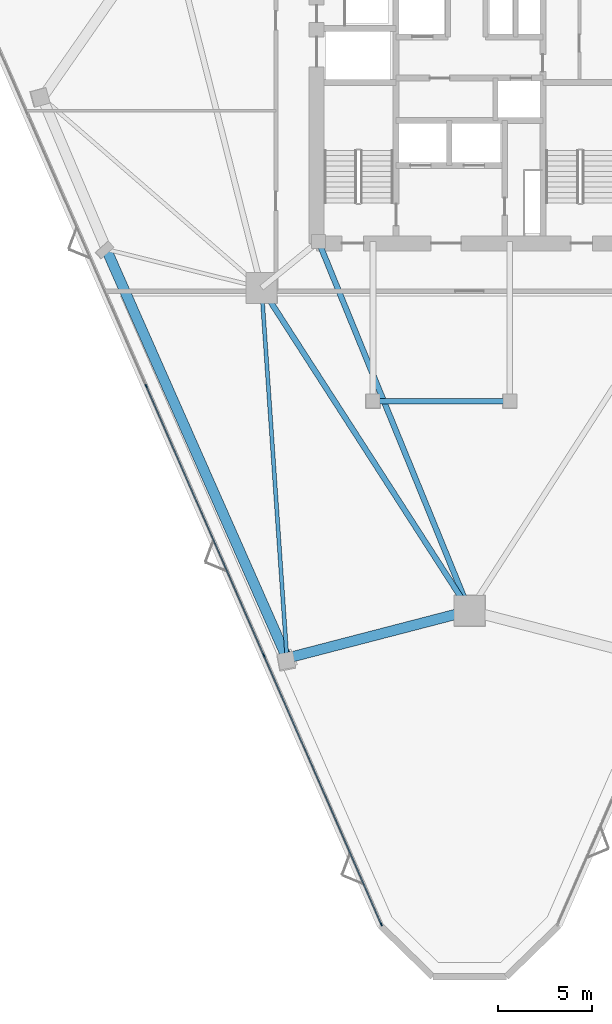
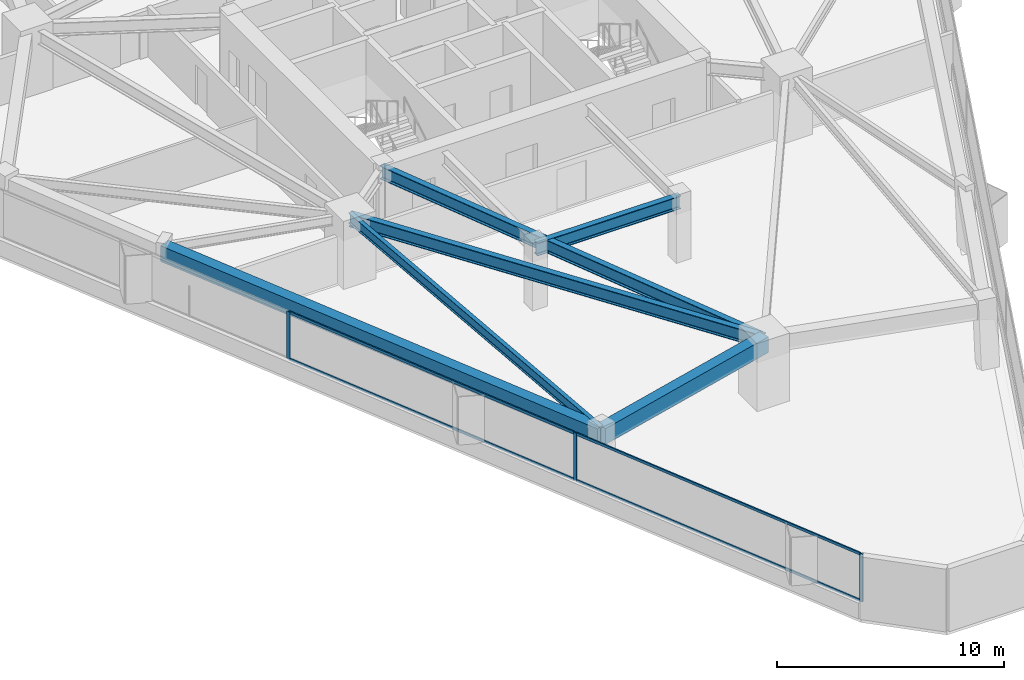
# One storey, part 2 of 15: 7 members, 6 beams, 1 element without a shape of its own.
"""IFC4 building model written with IfcOpenShell, lengths in metres."""

from ifc_helpers import new_model, si_unit, direction, frame, origin, origin_2d, place, context, subcontext, project, spatial, rectangle, i_section, extrude, material, layer, layer_set, material_profile, profile_set, type_object, element, aggregate, save


model = new_model("IFC4")

# Units and contexts
model_context = context("Model", 3, precision=1e-05, world=origin(), true_north=direction((0.0, 1.0)))
body_context = subcontext(model_context, "Body", "Model", "MODEL_VIEW")
ifc_project = project(units=[si_unit("LENGTHUNIT", "METRE"), si_unit("AREAUNIT", "SQUARE_METRE"), si_unit("VOLUMEUNIT", "CUBIC_METRE"), si_unit("PLANEANGLEUNIT", "RADIAN"), si_unit("MASSUNIT", "GRAM", prefix="KILO")], contexts=[model_context])

# Site, building, storey
site_placement = place(None, origin())
site = spatial("IfcSite", under=ifc_project, at=site_placement, CompositionType="ELEMENT")
building_placement = place(site_placement, origin())
building = spatial("IfcBuilding", under=site, at=building_placement, Name="Talyreon Biosciences Tower", CompositionType="ELEMENT")
storey_placement = place(building_placement, frame((0.0, 0.0, 111.5)))
storey = spatial("IfcBuildingStorey", under=building, at=storey_placement, Name="L29", CompositionType="ELEMENT", Elevation=111.5)

# Curtain wall, members
ifc_material_1 = material(Name="Thermally broken aluminium and low-E glazing", Category="aluminium")
ifc_layer = layer(ifc_material_1, 0.18994140625)
ifc_layer_set = layer_set([ifc_layer], Name="Thermally broken aluminium and low-E glazing")
curtain_wall_type = type_object("IfcCurtainWallType", Name="CurtainWall_Zone2Genomics", PredefinedType="NOTDEFINED", material=ifc_layer_set)
curtain_wall_placement = place(storey_placement, origin())
curtain_wall = element("IfcCurtainWall", 1, at=curtain_wall_placement, inside=storey, type_object=curtain_wall_type, Name="L29 Unitised Curtain Wall FCW-L29-00", PredefinedType="NOTDEFINED")
ifc_material_2 = material(Name="Anodised thermally broken aluminium", Category="aluminium")
ifc_material_profile_1 = material_profile(ifc_material_2, rectangle(XDim=0.06494140625, YDim=0.179931640625, at=origin_2d()), Name="ALUM MULLION 65x180")
ifc_profile_set_1 = profile_set([ifc_material_profile_1], Name="Anodised thermally broken aluminium")
member_type_1 = type_object("IfcMemberType", Name="CWMullion_65x180", PredefinedType="MULLION", material=ifc_profile_set_1)
member_1_placement = place(storey_placement, frame((61.294921875, 24.954345703125, 0.81005859375), z_axis=(0.0, 0.0, 1.0), x_axis=(-0.916416470178, -0.400226002637, 0.0)))
member_1 = element("IfcMember", 2, at=member_1_placement, type_object=member_type_1, Name="CW3 mullion 1", PredefinedType="MULLION", context=body_context, shape_type="SweptSolid", body=[
    extrude(rectangle(XDim=0.06494140625, YDim=0.179931640625, at=origin_2d()), origin(), (0.0, 0.0, 1.0), 2.56494140625),
])
member_2_placement = place(storey_placement, frame((55.035888671875, 39.2861328125, 0.81005859375), z_axis=(0.0, 0.0, 1.0), x_axis=(-0.916416470178, -0.400226002637, 0.0)))
member_2 = element("IfcMember", 3, at=member_2_placement, type_object=member_type_1, Name="CW3 mullion 2", PredefinedType="MULLION", context=body_context, shape_type="SweptSolid", body=[
    extrude(rectangle(XDim=0.06494140625, YDim=0.179931640625, at=origin_2d()), origin(), (0.0, 0.0, 1.0), 2.56494140625),
])
member_3_placement = place(storey_placement, frame((48.763671875, 53.6474609375, 0.81005859375), z_axis=(0.0, 0.0, 1.0), x_axis=(-0.916416470178, -0.400226002637, 0.0)))
member_3 = element("IfcMember", 4, at=member_3_placement, type_object=member_type_1, Name="CW3 mullion 3", PredefinedType="MULLION", context=body_context, shape_type="SweptSolid", body=[
    extrude(rectangle(XDim=0.06494140625, YDim=0.179931640625, at=origin_2d()), origin(), (0.0, 0.0, 1.0), 2.56494140625),
])
ifc_material_profile_2 = material_profile(ifc_material_2, rectangle(XDim=0.06494140625, YDim=0.139892578125, at=origin_2d()), Name="ALUM TRANSOM 65x140")
ifc_profile_set_2 = profile_set([ifc_material_profile_2], Name="Anodised thermally broken aluminium")
member_type_2 = type_object("IfcMemberType", Name="CWTransom_65x140", PredefinedType="USERDEFINED", material=ifc_profile_set_2)
member_4_placement = place(storey_placement, frame((61.281982421875, 24.984130859375, 0.842529296875), z_axis=(-0.400229120213, 0.916415108634, 0.0), x_axis=(-0.916415108634, -0.400229120213, 0.0)))
member_4 = element("IfcMember", 5, at=member_4_placement, type_object=member_type_2, Name="CW3 transom 1.1", ObjectType="TRANSOM", PredefinedType="USERDEFINED", context=body_context, shape_type="SweptSolid", body=[
    extrude(rectangle(XDim=0.06494140625, YDim=0.139892578125, at=origin_2d()), origin(), (0.0, 0.0, 1.0), 15.573974609375),
])
member_5_placement = place(storey_placement, frame((61.281982421875, 24.984130859375, 3.342529296875), z_axis=(-0.400229120213, 0.916415108634, 0.0), x_axis=(-0.916415108634, -0.400229120213, 0.0)))
member_5 = element("IfcMember", 6, at=member_5_placement, type_object=member_type_2, Name="CW3 transom 1.2", ObjectType="TRANSOM", PredefinedType="USERDEFINED", context=body_context, shape_type="SweptSolid", body=[
    extrude(rectangle(XDim=0.06494140625, YDim=0.139892578125, at=origin_2d()), origin(), (0.0, 0.0, 1.0), 15.573974609375),
])
member_6_placement = place(storey_placement, frame((55.022705078125, 39.31591796875, 0.842529296875), z_axis=(-0.40023115993, 0.916414217819, 0.0), x_axis=(-0.916414217819, -0.40023115993, 0.0)))
member_6 = element("IfcMember", 7, at=member_6_placement, type_object=member_type_2, Name="CW3 transom 2.1", ObjectType="TRANSOM", PredefinedType="USERDEFINED", context=body_context, shape_type="SweptSolid", body=[
    extrude(rectangle(XDim=0.06494140625, YDim=0.139892578125, at=origin_2d()), origin(), (0.0, 0.0, 1.0), 15.606201171875),
])
member_7_placement = place(storey_placement, frame((55.022705078125, 39.31591796875, 3.342529296875), z_axis=(-0.40023115993, 0.916414217819, 0.0), x_axis=(-0.916414217819, -0.40023115993, 0.0)))
member_7 = element("IfcMember", 8, at=member_7_placement, type_object=member_type_2, Name="CW3 transom 2.2", ObjectType="TRANSOM", PredefinedType="USERDEFINED", context=body_context, shape_type="SweptSolid", body=[
    extrude(rectangle(XDim=0.06494140625, YDim=0.139892578125, at=origin_2d()), origin(), (0.0, 0.0, 1.0), 15.606201171875),
])
aggregate(curtain_wall, [member_1, member_2, member_3, member_4, member_5, member_6, member_7])

# Beams
ifc_material_3 = material(Name="Precast concrete C45/55", Category="concrete")
ifc_material_profile_3 = material_profile(ifc_material_3, rectangle(XDim=0.550048828125, YDim=0.85009765625, at=origin_2d()), Name="RCB 550x850")
ifc_profile_set_3 = profile_set([ifc_material_profile_3], Name="Precast concrete C45/55")
beam_type_1 = type_object("IfcBeamType", Name="ExpressedSpandrel_550x850", PredefinedType="SPANDREL", material=ifc_profile_set_3)
beam_1_placement = place(storey_placement, frame((46.64208984375, 60.92919921875, 2.949951171875), z_axis=(0.404064335967, -0.9147305682, 0.0), x_axis=(0.9147305682, 0.404064335967, 0.0)))
element("IfcBeam", 9, at=beam_1_placement, inside=storey, type_object=beam_type_1, Name="L29 Expressed Horizontal Concrete Spandrel 11", PredefinedType="SPANDREL", context=body_context, shape_type="SweptSolid", body=[
    extrude(rectangle(XDim=0.550048828125, YDim=0.85009765625, at=origin_2d()), origin(), (0.0, 0.0, 1.0), 23.820556640625),
])
beam_2_placement = place(storey_placement, frame((56.26708984375, 39.139892578125, 2.949951171875), z_axis=(0.967906178886, 0.251311816025, 0.0), x_axis=(-0.251311816025, 0.967906178886, 0.0)))
element("IfcBeam", 10, at=beam_2_placement, inside=storey, type_object=beam_type_1, Name="L29 Expressed Horizontal Concrete Spandrel 12", PredefinedType="SPANDREL", context=body_context, shape_type="SweptSolid", body=[
    extrude(rectangle(XDim=0.550048828125, YDim=0.85009765625, at=origin_2d()), origin(), (0.0, 0.0, 1.0), 10.0556640625),
])
ifc_material_4 = material(Name="Steel SM355", Category="steel")
ifc_material_profile_4 = material_profile(ifc_material_4, i_section(OverallWidth=0.300048828125, OverallDepth=0.699951171875, WebThickness=0.01708984375, FlangeThickness=0.031982421875, FilletRadius=0.027099609375, at=origin_2d()), Name="HE700B")
ifc_profile_set_4 = profile_set([ifc_material_profile_4], Name="Steel SM355")
beam_type_2 = type_object("IfcBeamType", Name="SteelGirder_HE700B", PredefinedType="BEAM", material=ifc_profile_set_4)
beam_3_placement = place(storey_placement, frame((54.913818359375, 58.88037109375, 3.02490234375), z_axis=(0.541463723609, -0.840724114092, 0.0), x_axis=(0.840724114092, 0.541463723609, 0.0)))
element("IfcBeam", 11, at=beam_3_placement, inside=storey, type_object=beam_type_2, Name="L29 Mega-Ring Girder 6", PredefinedType="BEAM", context=body_context, shape_type="SweptSolid", body=[
    extrude(i_section(OverallWidth=0.300048828125, OverallDepth=0.699951171875, WebThickness=0.01708984375, FlangeThickness=0.031982421875, FilletRadius=0.027099609375, at=origin_2d()), origin(), (0.0, 0.0, 1.0), 20.474365234375),
])
beam_4_placement = place(storey_placement, frame((57.949951171875, 61.35009765625, 3.02490234375), z_axis=(0.378547014545, -0.925582064314, 0.0), x_axis=(0.925582064314, 0.378547014545, 0.0)))
element("IfcBeam", 12, at=beam_4_placement, inside=storey, type_object=beam_type_2, Name="L29 Radial Primary Girder 1", PredefinedType="BEAM", context=body_context, shape_type="SweptSolid", body=[
    extrude(i_section(OverallWidth=0.300048828125, OverallDepth=0.699951171875, WebThickness=0.01708984375, FlangeThickness=0.031982421875, FilletRadius=0.027099609375, at=origin_2d()), origin(), (0.0, 0.0, 1.0), 21.265625),
])
beam_5_placement = place(storey_placement, frame((60.85009765625, 52.840087890625, 3.02490234375), z_axis=(1.0, 0.0, 0.0), x_axis=(0.0, 1.0, 0.0)))
element("IfcBeam", 13, at=beam_5_placement, inside=storey, type_object=beam_type_2, Name="L29 Crown Shaft Spine Girder S", PredefinedType="BEAM", context=body_context, shape_type="SweptSolid", body=[
    extrude(i_section(OverallWidth=0.300048828125, OverallDepth=0.699951171875, WebThickness=0.01708984375, FlangeThickness=0.031982421875, FilletRadius=0.027099609375, at=origin_2d()), origin(), (0.0, 0.0, 1.0), 7.2998046875),
])
ifc_material_profile_5 = material_profile(ifc_material_4, i_section(OverallWidth=0.2099609375, OverallDepth=0.550048828125, WebThickness=0.010986328125, FlangeThickness=0.01708984375, FilletRadius=0.02392578125, at=origin_2d()), Name="IPE550")
ifc_profile_set_5 = profile_set([ifc_material_profile_5], Name="Steel SM355")
beam_type_3 = type_object("IfcBeamType", Name="SteelJoist_IPE550", PredefinedType="JOIST", material=ifc_profile_set_5)
beam_6_placement = place(storey_placement, frame((54.913818359375, 58.88037109375, 3.10009765625), z_axis=(0.068392606438, -0.997658484345, 0.0), x_axis=(0.997658484345, 0.068392606438, 0.0)))
element("IfcBeam", 14, at=beam_6_placement, inside=storey, type_object=beam_type_3, Name="L29 Radial Composite Floor Joist PC-SW2", PredefinedType="JOIST", context=body_context, shape_type="SweptSolid", body=[
    extrude(i_section(OverallWidth=0.2099609375, OverallDepth=0.550048828125, WebThickness=0.010986328125, FlangeThickness=0.01708984375, FilletRadius=0.02392578125, at=origin_2d()), origin(), (0.0, 0.0, 1.0), 19.786865234375),
])

save(model, "model.ifc")
